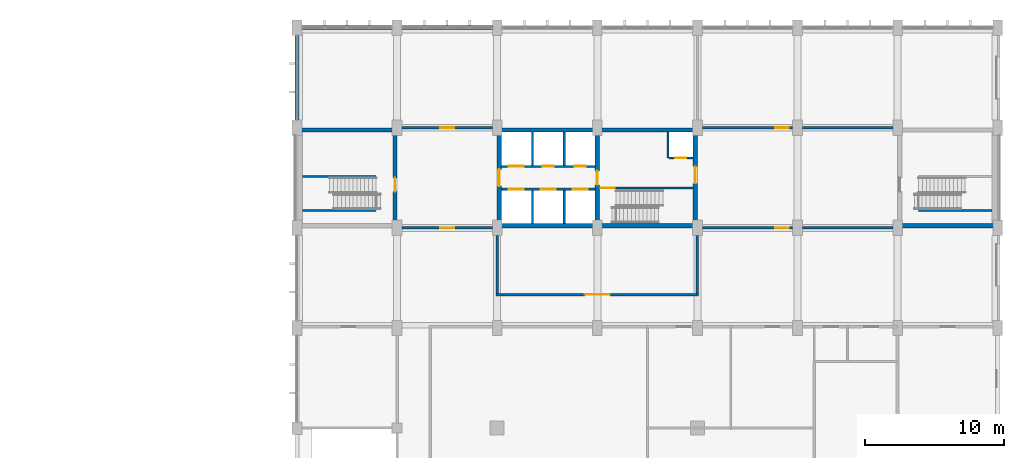
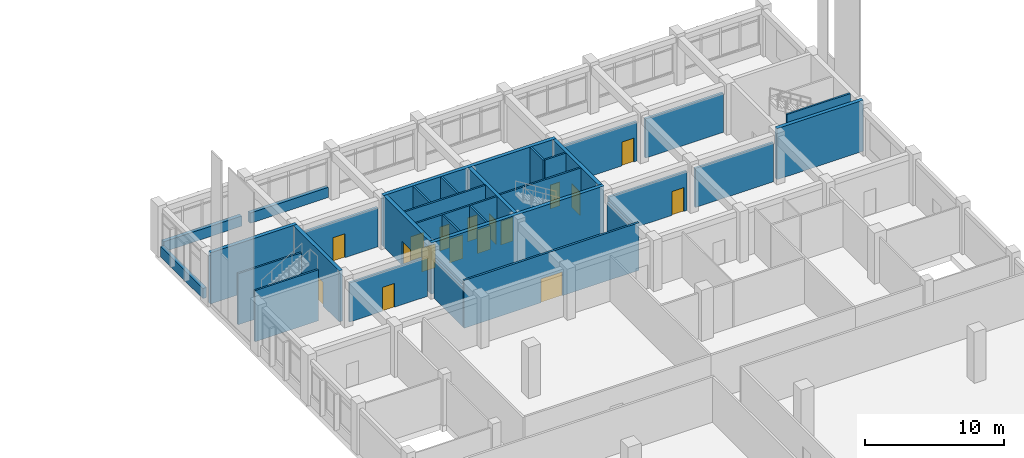
# One storey, part 37 of 52: 32 walls, 17 doors, 17 openings.
"""IFC4 building model written with IfcOpenShell, lengths in metres."""

from ifc_helpers import new_model, si_unit, direction, frame, frame_2d, origin, place, context, subcontext, project, spatial, rectangle, extrude, material, layer, layer_set, type_object, element, fill, save


model = new_model("IFC4")

# Units and contexts
model_context = context("Model", 3, precision=1e-05, world=origin(), true_north=direction((0.0, 1.0)))
body_context = subcontext(model_context, "Body", "Model", "MODEL_VIEW")
ifc_project = project(units=[si_unit("LENGTHUNIT", "METRE"), si_unit("AREAUNIT", "SQUARE_METRE"), si_unit("VOLUMEUNIT", "CUBIC_METRE"), si_unit("PLANEANGLEUNIT", "RADIAN"), si_unit("MASSUNIT", "GRAM", prefix="KILO")], contexts=[model_context])

# Site, building, storey
site_placement = place(None, origin())
site = spatial("IfcSite", under=ifc_project, at=site_placement, CompositionType="ELEMENT")
building_placement = place(site_placement, origin())
building = spatial("IfcBuilding", under=site, at=building_placement, Name="Vermilion Court Aquatics Centre", CompositionType="ELEMENT")
storey_placement = place(building_placement, frame((0.0, 0.0, 12.0)))
storey = spatial("IfcBuildingStorey", under=building, at=storey_placement, Name="L02", CompositionType="ELEMENT", Elevation=12.0)

# Walls
ifc_material_1 = material(Name="Concrete 8000 psi", Category="concrete")
ifc_layer_1 = layer(ifc_material_1, 0.300048828125)
ifc_layer_set_1 = layer_set([ifc_layer_1], Name="North block core shear wall 300")
wall_type_1 = type_object("IfcWallType", Name="North block core shear wall 300", PredefinedType="SHEAR", material=ifc_layer_set_1)
for number, where, z_axis, x_axis, name in (
    (1, (158.39990234375, 100.949951171875, 0.0), (0.0, 0.0, 1.0), (1.0, 0.0, 0.0), "Core shear wall south L02"),
    (2, (158.39990234375, 107.85009765625, 0.0), (0.0, 0.0, 1.0), (1.0, 0.0, 0.0), "Core shear wall north L02"),
):
    element("IfcWall", number, at=place(storey_placement, frame(where, z_axis=z_axis, x_axis=x_axis)), inside=storey, type_object=wall_type_1, Name=name, PredefinedType="SHEAR", context=body_context, shape_type="SweptSolid", body=[
        extrude(rectangle(XDim=14.400146484375, YDim=0.300048828125, at=frame_2d((7.2001953125, 0.0))), origin(), (0.0, 0.0, 1.0), 4.5),
    ])

# Wall, opening, door
wall_1_placement = place(storey_placement, frame((158.550048828125, 101.10009765625, 0.0), z_axis=(0.0, 0.0, 1.0), x_axis=(0.0, 1.0, 0.0)))
wall_1 = element("IfcWall", 3, at=wall_1_placement, inside=storey, type_object=wall_type_1, Name="Core shear wall west L02", PredefinedType="SHEAR", context=body_context, shape_type="SweptSolid", body=[
    extrude(rectangle(XDim=6.599853515625, YDim=0.300048828125, at=frame_2d((3.2998046875, 0.0))), origin(), (0.0, 0.0, 1.0), 4.5),
])
opening_1_placement = place(wall_1_placement, frame((2.699951171875, 0.0, 0.0)))
opening_1 = element("IfcOpeningElement", 4, at=opening_1_placement, cuts=wall_1, Name="Opening U02-003", PredefinedType="OPENING", context=body_context, shape_type="SweptSolid", body=[
    extrude(rectangle(XDim=1.199951171875, YDim=2.10009765625, at=frame_2d((0.60009765625, 1.050048828125))), frame((0.0, 0.159912109375, 0.0), z_axis=(0.0, -1.0, 0.0), x_axis=(1.0, 0.0, 0.0)), (0.0, 0.0, 1.0), 0.320068359375),
])
ifc_material_2 = material(Name="Hollow metal")
door_type_1 = type_object("IfcDoorType", Name="North block fire door FD90 1200x2100", OperationType="NOTDEFINED", PredefinedType="DOOR", material=ifc_material_2)
door_1_placement = place(opening_1_placement, origin())
door_1 = element("IfcDoor", 5, at=door_1_placement, inside=storey, type_object=door_type_1, Name="Core lobby door west L02", OperationType="SINGLE_SWING_LEFT", OverallHeight=2.10009765625, OverallWidth=1.199951171875, PredefinedType="DOOR", context=body_context, shape_type="SweptSolid", body=[
    extrude(rectangle(XDim=1.199951171875, YDim=2.10009765625, at=frame_2d((0.60009765625, 1.050048828125))), frame((0.0, 0.02490234375, 0.0), z_axis=(0.0, -1.0, 0.0), x_axis=(1.0, 0.0, 0.0)), (0.0, 0.0, 1.0), 0.050048828125),
])
fill(opening_1, door_1)

wall_2_placement = place(storey_placement, frame((165.60009765625, 101.10009765625, 0.0), z_axis=(0.0, 0.0, 1.0), x_axis=(0.0, 1.0, 0.0)))
wall_2 = element("IfcWall", 6, at=wall_2_placement, inside=storey, type_object=wall_type_1, Name="Core shear wall cross L02", PredefinedType="SHEAR", context=body_context, shape_type="SweptSolid", body=[
    extrude(rectangle(XDim=6.599853515625, YDim=0.300048828125, at=frame_2d((3.2998046875, 0.0))), origin(), (0.0, 0.0, 1.0), 4.5),
])
opening_2_placement = place(wall_2_placement, frame((2.800048828125, 0.0, 0.0)))
opening_2 = element("IfcOpeningElement", 7, at=opening_2_placement, cuts=wall_2, Name="Opening U02-004", PredefinedType="OPENING", context=body_context, shape_type="SweptSolid", body=[
    extrude(rectangle(XDim=1.0, YDim=2.10009765625, at=frame_2d((0.5, 1.050048828125))), frame((0.0, 0.159912109375, 0.0), z_axis=(0.0, -1.0, 0.0), x_axis=(1.0, 0.0, 0.0)), (0.0, 0.0, 1.0), 0.320068359375),
])
ifc_material_3 = material(Name="Hollow metal")
door_type_2 = type_object("IfcDoorType", Name="North block fire door FD90 1000x2100", OperationType="NOTDEFINED", PredefinedType="DOOR", material=ifc_material_3)
door_2_placement = place(opening_2_placement, frame((1.0, 0.0, 0.0), z_axis=(0.0, 0.0, 1.0), x_axis=(-1.0, 0.0, 0.0)))
door_2 = element("IfcDoor", 8, at=door_2_placement, inside=storey, type_object=door_type_2, Name="Core cross door L02", OperationType="SINGLE_SWING_RIGHT", OverallHeight=2.10009765625, OverallWidth=1.0, PredefinedType="DOOR", context=body_context, shape_type="SweptSolid", body=[
    extrude(rectangle(XDim=1.0, YDim=2.10009765625, at=frame_2d((0.5, 1.050048828125))), frame((0.0, 0.025146484375, 0.0), z_axis=(0.0, -1.0, 0.0), x_axis=(1.0, 0.0, 0.0)), (0.0, 0.0, 1.0), 0.050048828125),
])
fill(opening_2, door_2)

wall_3_placement = place(storey_placement, frame((172.64990234375, 101.10009765625, 0.0), z_axis=(0.0, 0.0, 1.0), x_axis=(0.0, 1.0, 0.0)))
wall_3 = element("IfcWall", 9, at=wall_3_placement, inside=storey, type_object=wall_type_1, Name="Core shear wall east L02", PredefinedType="SHEAR", context=body_context, shape_type="SweptSolid", body=[
    extrude(rectangle(XDim=6.599853515625, YDim=0.300048828125, at=frame_2d((3.2998046875, 0.0))), origin(), (0.0, 0.0, 1.0), 4.5),
])
opening_3_placement = place(wall_3_placement, frame((2.89990234375, 0.0, 0.0)))
opening_3 = element("IfcOpeningElement", 10, at=opening_3_placement, cuts=wall_3, Name="Opening U02-005", PredefinedType="OPENING", context=body_context, shape_type="SweptSolid", body=[
    extrude(rectangle(XDim=1.199951171875, YDim=2.10009765625, at=frame_2d((0.60009765625, 1.050048828125))), frame((0.0, 0.159912109375, 0.0), z_axis=(0.0, -1.0, 0.0), x_axis=(1.0, 0.0, 0.0)), (0.0, 0.0, 1.0), 0.320068359375),
])
door_3_placement = place(opening_3_placement, origin())
door_3 = element("IfcDoor", 11, at=door_3_placement, inside=storey, type_object=door_type_1, Name="Core lobby door east L02", OperationType="SINGLE_SWING_LEFT", OverallHeight=2.10009765625, OverallWidth=1.199951171875, PredefinedType="DOOR", context=body_context, shape_type="SweptSolid", body=[
    extrude(rectangle(XDim=1.199951171875, YDim=2.10009765625, at=frame_2d((0.60009765625, 1.050048828125))), frame((0.0, 0.02490234375, 0.0), z_axis=(0.0, -1.0, 0.0), x_axis=(1.0, 0.0, 0.0)), (0.0, 0.0, 1.0), 0.050048828125),
])
fill(opening_3, door_3)

# Wall
wall_4_placement = place(storey_placement, frame((144.0, 107.85009765625, 0.0), z_axis=(0.0, 0.0, 1.0), x_axis=(1.0, 0.0, 0.0)))
element("IfcWall", 12, at=wall_4_placement, inside=storey, type_object=wall_type_1, Name="Stair 1 shear wall north L02", PredefinedType="SHEAR", context=body_context, shape_type="SweptSolid", body=[
    extrude(rectangle(XDim=7.199951171875, YDim=0.300048828125, at=frame_2d((3.60009765625, 0.0))), origin(), (0.0, 0.0, 1.0), 4.5),
])

# Wall, opening, door
wall_5_placement = place(storey_placement, frame((151.050048828125, 101.10009765625, 0.0), z_axis=(0.0, 0.0, 1.0), x_axis=(0.0, 1.0, 0.0)))
wall_5 = element("IfcWall", 13, at=wall_5_placement, inside=storey, type_object=wall_type_1, Name="Stair 1 shear wall inner L02", PredefinedType="SHEAR", context=body_context, shape_type="SweptSolid", body=[
    extrude(rectangle(XDim=6.599853515625, YDim=0.300048828125, at=frame_2d((3.2998046875, 0.0))), origin(), (0.0, 0.0, 1.0), 4.5),
])
opening_4_placement = place(wall_5_placement, frame((2.300048828125, 0.0, 0.0)))
opening_4 = element("IfcOpeningElement", 14, at=opening_4_placement, cuts=wall_5, Name="Opening U02-008", PredefinedType="OPENING", context=body_context, shape_type="SweptSolid", body=[
    extrude(rectangle(XDim=1.0, YDim=2.10009765625, at=frame_2d((0.5, 1.050048828125))), frame((0.0, 0.159912109375, 0.0), z_axis=(0.0, -1.0, 0.0), x_axis=(1.0, 0.0, 0.0)), (0.0, 0.0, 1.0), 0.320068359375),
])
door_4_placement = place(opening_4_placement, origin())
door_4 = element("IfcDoor", 15, at=door_4_placement, inside=storey, type_object=door_type_2, Name="Stair 1 door L02", OperationType="SINGLE_SWING_LEFT", OverallHeight=2.10009765625, OverallWidth=1.0, PredefinedType="DOOR", context=body_context, shape_type="SweptSolid", body=[
    extrude(rectangle(XDim=1.0, YDim=2.10009765625, at=frame_2d((0.5, 1.050048828125))), frame((0.0, 0.02490234375, 0.0), z_axis=(0.0, -1.0, 0.0), x_axis=(1.0, 0.0, 0.0)), (0.0, 0.0, 1.0), 0.050048828125),
])
fill(opening_4, door_4)

# Walls
wall_6_placement = place(storey_placement, frame((194.39990234375, 100.949951171875, 0.0), z_axis=(0.0, 0.0, 1.0), x_axis=(-1.0, 0.0, 0.0)))
element("IfcWall", 16, at=wall_6_placement, inside=storey, type_object=wall_type_1, Name="Stair 2 shear wall south L02", PredefinedType="SHEAR", context=body_context, shape_type="SweptSolid", body=[
    extrude(rectangle(XDim=7.199951171875, YDim=0.300048828125, at=frame_2d((3.60009765625, 0.0))), origin(), (0.0, 0.0, 1.0), 4.5),
])
ifc_material_4 = material(Name="Concrete 5000 psi", Category="concrete")
ifc_layer_2 = layer(ifc_material_4, 0.14990234375)
ifc_layer_set_2 = layer_set([ifc_layer_2], Name="North block lift shaft partition 150")
wall_type_2 = type_object("IfcWallType", Name="North block lift shaft partition 150", PredefinedType="PARTITIONING", material=ifc_layer_set_2)
for number, where, z_axis, x_axis, name in (
    (17, (160.925048828125, 101.10009765625, 0.0), (0.0, 0.0, 1.0), (0.0, 1.0, 0.0), "Lift shaft wall S1 L02"),
    (18, (163.22509765625, 101.10009765625, 0.0), (0.0, 0.0, 1.0), (0.0, 1.0, 0.0), "Lift shaft wall S2 L02"),
    (19, (160.925048828125, 105.300048828125, 0.0), (0.0, 0.0, 1.0), (0.0, 1.0, 0.0), "Lift shaft wall N1 L02"),
    (20, (163.22509765625, 105.300048828125, 0.0), (0.0, 0.0, 1.0), (0.0, 1.0, 0.0), "Lift shaft wall N2 L02"),
):
    element("IfcWall", number, at=place(storey_placement, frame(where, z_axis=z_axis, x_axis=x_axis)), inside=storey, type_object=wall_type_2, Name=name, PredefinedType="PARTITIONING", context=body_context, shape_type="SweptSolid", body=[
        extrude(rectangle(XDim=2.39990234375, YDim=0.14990234375, at=frame_2d((1.199951171875, 0.0))), origin(), (0.0, 0.0, 1.0), 4.5),
    ])

# Wall, openings, doors
wall_7_placement = place(storey_placement, frame((158.699951171875, 103.574951171875, 0.0), z_axis=(0.0, 0.0, 1.0), x_axis=(1.0, 0.0, 0.0)))
wall_7 = element("IfcWall", 21, at=wall_7_placement, inside=storey, type_object=wall_type_2, Name="Lift shaft front wall S L02", PredefinedType="PARTITIONING", context=body_context, shape_type="SweptSolid", body=[
    extrude(rectangle(XDim=6.75, YDim=0.14990234375, at=frame_2d((3.375, 0.0))), origin(), (0.0, 0.0, 1.0), 4.5),
])
opening_5_placement = place(wall_7_placement, frame((0.52490234375, 0.0, 0.0)))
opening_5 = element("IfcOpeningElement", 22, at=opening_5_placement, cuts=wall_7, Name="Opening LD1-02", PredefinedType="OPENING", context=body_context, shape_type="SweptSolid", body=[
    extrude(rectangle(XDim=1.10009765625, YDim=2.10009765625, at=frame_2d((0.550048828125, 1.050048828125))), frame((0.0, 0.0849609375, 0.0), z_axis=(0.0, -1.0, 0.0), x_axis=(1.0, 0.0, 0.0)), (0.0, 0.0, 1.0), 0.169921875),
])
opening_6_placement = place(wall_7_placement, frame((2.824951171875, 0.0, 0.0)))
opening_6 = element("IfcOpeningElement", 23, at=opening_6_placement, cuts=wall_7, Name="Opening LD2-02", PredefinedType="OPENING", context=body_context, shape_type="SweptSolid", body=[
    extrude(rectangle(XDim=1.10009765625, YDim=2.10009765625, at=frame_2d((0.550048828125, 1.050048828125))), frame((0.0, 0.0849609375, 0.0), z_axis=(0.0, -1.0, 0.0), x_axis=(1.0, 0.0, 0.0)), (0.0, 0.0, 1.0), 0.169921875),
])
opening_7_placement = place(wall_7_placement, frame((5.125, 0.0, 0.0)))
opening_7 = element("IfcOpeningElement", 24, at=opening_7_placement, cuts=wall_7, Name="Opening LD3-02", PredefinedType="OPENING", context=body_context, shape_type="SweptSolid", body=[
    extrude(rectangle(XDim=1.10009765625, YDim=2.10009765625, at=frame_2d((0.550048828125, 1.050048828125))), frame((0.0, 0.0849609375, 0.0), z_axis=(0.0, -1.0, 0.0), x_axis=(1.0, 0.0, 0.0)), (0.0, 0.0, 1.0), 0.169921875),
])
ifc_material_5 = material(Name="Hollow metal")
door_type_3 = type_object("IfcDoorType", Name="North block lift landing door 1100x2100", OperationType="DOUBLE_DOOR_SLIDING", PredefinedType="DOOR", material=ifc_material_5)
door_5_placement = place(opening_5_placement, origin())
door_5 = element("IfcDoor", 25, at=door_5_placement, inside=storey, type_object=door_type_3, Name="Lift landing door L1 L02", OperationType="DOUBLE_DOOR_SLIDING", OverallHeight=2.10009765625, OverallWidth=1.10009765625, PredefinedType="DOOR", context=body_context, shape_type="SweptSolid", body=[
    extrude(rectangle(XDim=1.10009765625, YDim=2.10009765625, at=frame_2d((0.550048828125, 1.050048828125))), frame((0.0, 0.02490234375, 0.0), z_axis=(0.0, -1.0, 0.0), x_axis=(1.0, 0.0, 0.0)), (0.0, 0.0, 1.0), 0.050048828125),
])
fill(opening_5, door_5)
door_6_placement = place(opening_6_placement, origin())
door_6 = element("IfcDoor", 26, at=door_6_placement, inside=storey, type_object=door_type_3, Name="Lift landing door L2 L02", OperationType="DOUBLE_DOOR_SLIDING", OverallHeight=2.10009765625, OverallWidth=1.10009765625, PredefinedType="DOOR", context=body_context, shape_type="SweptSolid", body=[
    extrude(rectangle(XDim=1.10009765625, YDim=2.10009765625, at=frame_2d((0.550048828125, 1.050048828125))), frame((0.0, 0.02490234375, 0.0), z_axis=(0.0, -1.0, 0.0), x_axis=(1.0, 0.0, 0.0)), (0.0, 0.0, 1.0), 0.050048828125),
])
fill(opening_6, door_6)
door_7_placement = place(opening_7_placement, origin())
door_7 = element("IfcDoor", 27, at=door_7_placement, inside=storey, type_object=door_type_3, Name="Lift landing door L3 L02", OperationType="DOUBLE_DOOR_SLIDING", OverallHeight=2.10009765625, OverallWidth=1.10009765625, PredefinedType="DOOR", context=body_context, shape_type="SweptSolid", body=[
    extrude(rectangle(XDim=1.10009765625, YDim=2.10009765625, at=frame_2d((0.550048828125, 1.050048828125))), frame((0.0, 0.02490234375, 0.0), z_axis=(0.0, -1.0, 0.0), x_axis=(1.0, 0.0, 0.0)), (0.0, 0.0, 1.0), 0.050048828125),
])
fill(opening_7, door_7)

wall_8_placement = place(storey_placement, frame((158.699951171875, 105.22509765625, 0.0), z_axis=(0.0, 0.0, 1.0), x_axis=(1.0, 0.0, 0.0)))
wall_8 = element("IfcWall", 28, at=wall_8_placement, inside=storey, type_object=wall_type_2, Name="Lift shaft front wall N L02", PredefinedType="PARTITIONING", context=body_context, shape_type="SweptSolid", body=[
    extrude(rectangle(XDim=6.75, YDim=0.14990234375, at=frame_2d((3.375, 0.0))), origin(), (0.0, 0.0, 1.0), 4.5),
])
opening_8_placement = place(wall_8_placement, frame((0.52490234375, 0.0, 0.0)))
opening_8 = element("IfcOpeningElement", 29, at=opening_8_placement, cuts=wall_8, Name="Opening LD4-02", PredefinedType="OPENING", context=body_context, shape_type="SweptSolid", body=[
    extrude(rectangle(XDim=1.10009765625, YDim=2.10009765625, at=frame_2d((0.550048828125, 1.050048828125))), frame((0.0, 0.0849609375, 0.0), z_axis=(0.0, -1.0, 0.0), x_axis=(1.0, 0.0, 0.0)), (0.0, 0.0, 1.0), 0.169921875),
])
opening_9_placement = place(wall_8_placement, frame((2.97509765625, 0.0, 0.0)))
opening_9 = element("IfcOpeningElement", 30, at=opening_9_placement, cuts=wall_8, Name="Opening U02-001", PredefinedType="OPENING", context=body_context, shape_type="SweptSolid", body=[
    extrude(rectangle(XDim=0.800048828125, YDim=2.10009765625, at=frame_2d((0.39990234375, 1.050048828125))), frame((0.0, 0.0849609375, 0.0), z_axis=(0.0, -1.0, 0.0), x_axis=(1.0, 0.0, 0.0)), (0.0, 0.0, 1.0), 0.169921875),
])
opening_10_placement = place(wall_8_placement, frame((5.27490234375, 0.0, 0.0)))
opening_10 = element("IfcOpeningElement", 31, at=opening_10_placement, cuts=wall_8, Name="Opening U02-002", PredefinedType="OPENING", context=body_context, shape_type="SweptSolid", body=[
    extrude(rectangle(XDim=0.800048828125, YDim=2.10009765625, at=frame_2d((0.39990234375, 1.050048828125))), frame((0.0, 0.0849609375, 0.0), z_axis=(0.0, -1.0, 0.0), x_axis=(1.0, 0.0, 0.0)), (0.0, 0.0, 1.0), 0.169921875),
])
door_8_placement = place(opening_8_placement, origin())
door_8 = element("IfcDoor", 32, at=door_8_placement, inside=storey, type_object=door_type_3, Name="Lift landing door L4 L02", OperationType="DOUBLE_DOOR_SLIDING", OverallHeight=2.10009765625, OverallWidth=1.10009765625, PredefinedType="DOOR", context=body_context, shape_type="SweptSolid", body=[
    extrude(rectangle(XDim=1.10009765625, YDim=2.10009765625, at=frame_2d((0.550048828125, 1.050048828125))), frame((0.0, 0.02490234375, 0.0), z_axis=(0.0, -1.0, 0.0), x_axis=(1.0, 0.0, 0.0)), (0.0, 0.0, 1.0), 0.050048828125),
])
fill(opening_8, door_8)
ifc_material_6 = material(Name="Hollow metal")
door_type_4 = type_object("IfcDoorType", Name="North block riser door FD90 800x2100", OperationType="NOTDEFINED", PredefinedType="DOOR", material=ifc_material_6)
door_9_placement = place(opening_9_placement, frame((0.800048828125, 0.0, 0.0), z_axis=(0.0, 0.0, 1.0), x_axis=(-1.0, 0.0, 0.0)))
door_9 = element("IfcDoor", 33, at=door_9_placement, inside=storey, type_object=door_type_4, Name="Electrical Riser door L02", OperationType="SINGLE_SWING_RIGHT", OverallHeight=2.10009765625, OverallWidth=0.800048828125, PredefinedType="DOOR", context=body_context, shape_type="SweptSolid", body=[
    extrude(rectangle(XDim=0.800048828125, YDim=2.10009765625, at=frame_2d((0.400146484375, 1.050048828125))), frame((0.0, 0.025146484375, 0.0), z_axis=(0.0, -1.0, 0.0), x_axis=(1.0, 0.0, 0.0)), (0.0, 0.0, 1.0), 0.050048828125),
])
fill(opening_9, door_9)
door_10_placement = place(opening_10_placement, frame((0.800048828125, 0.0, 0.0), z_axis=(0.0, 0.0, 1.0), x_axis=(-1.0, 0.0, 0.0)))
door_10 = element("IfcDoor", 34, at=door_10_placement, inside=storey, type_object=door_type_4, Name="Plumbing Riser door L02", OperationType="SINGLE_SWING_LEFT", OverallHeight=2.10009765625, OverallWidth=0.800048828125, PredefinedType="DOOR", context=body_context, shape_type="SweptSolid", body=[
    extrude(rectangle(XDim=0.800048828125, YDim=2.10009765625, at=frame_2d((0.400146484375, 1.050048828125))), frame((0.0, 0.025146484375, 0.0), z_axis=(0.0, -1.0, 0.0), x_axis=(1.0, 0.0, 0.0)), (0.0, 0.0, 1.0), 0.050048828125),
])
fill(opening_10, door_10)

# Wall
wall_9_placement = place(storey_placement, frame((170.675048828125, 105.824951171875, 0.0), z_axis=(0.0, 0.0, 1.0), x_axis=(0.0, 1.0, 0.0)))
element("IfcWall", 35, at=wall_9_placement, inside=storey, type_object=wall_type_2, Name="Riser shaft wall west L02", PredefinedType="PARTITIONING", context=body_context, shape_type="SweptSolid", body=[
    extrude(rectangle(XDim=1.875, YDim=0.14990234375, at=frame_2d((0.9375, 0.0))), origin(), (0.0, 0.0, 1.0), 4.5),
])

# Wall, opening, door
wall_10_placement = place(storey_placement, frame((170.75, 105.824951171875, 0.0), z_axis=(0.0, 0.0, 1.0), x_axis=(1.0, 0.0, 0.0)))
wall_10 = element("IfcWall", 36, at=wall_10_placement, inside=storey, type_object=wall_type_2, Name="Riser shaft wall south L02", PredefinedType="PARTITIONING", context=body_context, shape_type="SweptSolid", body=[
    extrude(rectangle(XDim=1.75, YDim=0.14990234375, at=frame_2d((0.875, 0.0))), origin(), (0.0, 0.0, 1.0), 4.5),
])
opening_11_placement = place(wall_10_placement, frame((0.449951171875, 0.0, 0.0)))
opening_11 = element("IfcOpeningElement", 37, at=opening_11_placement, cuts=wall_10, Name="Opening U02-007", PredefinedType="OPENING", context=body_context, shape_type="SweptSolid", body=[
    extrude(rectangle(XDim=0.800048828125, YDim=2.10009765625, at=frame_2d((0.39990234375, 1.050048828125))), frame((0.0, 0.0849609375, 0.0), z_axis=(0.0, -1.0, 0.0), x_axis=(1.0, 0.0, 0.0)), (0.0, 0.0, 1.0), 0.169921875),
])
door_11_placement = place(opening_11_placement, origin())
door_11 = element("IfcDoor", 38, at=door_11_placement, inside=storey, type_object=door_type_4, Name="Riser door L02", OperationType="SINGLE_SWING_LEFT", OverallHeight=2.10009765625, OverallWidth=0.800048828125, PredefinedType="DOOR", context=body_context, shape_type="SweptSolid", body=[
    extrude(rectangle(XDim=0.800048828125, YDim=2.10009765625, at=frame_2d((0.39990234375, 1.050048828125))), frame((0.0, 0.02490234375, 0.0), z_axis=(0.0, -1.0, 0.0), x_axis=(1.0, 0.0, 0.0)), (0.0, 0.0, 1.0), 0.050048828125),
])
fill(opening_11, door_11)

ifc_material_7 = material(Name="Concrete 5000 psi", Category="concrete")
ifc_layer_3 = layer(ifc_material_7, 0.14990234375)
ifc_layer_set_3 = layer_set([ifc_layer_3], Name="North block stair lane wall 150")
wall_type_3 = type_object("IfcWallType", Name="North block stair lane wall 150", PredefinedType="SHEAR", material=ifc_layer_set_3)
wall_11_placement = place(storey_placement, frame((165.75, 103.675048828125, 0.0), z_axis=(0.0, 0.0, 1.0), x_axis=(1.0, 0.0, 0.0)))
wall_11 = element("IfcWall", 39, at=wall_11_placement, inside=storey, type_object=wall_type_3, Name="Stair 3 wall north L02", PredefinedType="SHEAR", context=body_context, shape_type="SweptSolid", body=[
    extrude(rectangle(XDim=6.75, YDim=0.14990234375, at=frame_2d((3.375, 0.0))), origin(), (0.0, 0.0, 1.0), 4.5),
])
opening_12_placement = place(wall_11_placement, frame((0.10009765625, 0.0, 0.0)))
opening_12 = element("IfcOpeningElement", 40, at=opening_12_placement, cuts=wall_11, Name="Opening U02-006", PredefinedType="OPENING", context=body_context, shape_type="SweptSolid", body=[
    extrude(rectangle(XDim=1.0, YDim=2.10009765625, at=frame_2d((0.5, 1.050048828125))), frame((0.0, 0.0849609375, 0.0), z_axis=(0.0, -1.0, 0.0), x_axis=(1.0, 0.0, 0.0)), (0.0, 0.0, 1.0), 0.169921875),
])
door_12_placement = place(opening_12_placement, frame((1.0, 0.0, 0.0), z_axis=(0.0, 0.0, 1.0), x_axis=(-1.0, 0.0, 0.0)))
door_12 = element("IfcDoor", 41, at=door_12_placement, inside=storey, type_object=door_type_2, Name="Stair 3 door L02", OperationType="SINGLE_SWING_RIGHT", OverallHeight=2.10009765625, OverallWidth=1.0, PredefinedType="DOOR", context=body_context, shape_type="SweptSolid", body=[
    extrude(rectangle(XDim=1.0, YDim=2.10009765625, at=frame_2d((0.5, 1.050048828125))), frame((0.0, 0.025146484375, 0.0), z_axis=(0.0, -1.0, 0.0), x_axis=(1.0, 0.0, 0.0)), (0.0, 0.0, 1.0), 0.050048828125),
])
fill(opening_12, door_12)

# Walls
for number, where, z_axis, x_axis, name in (
    (42, (144.39990234375, 102.054931640625, 0.0), (0.0, 0.0, 1.0), (1.0, 0.0, 0.0), "Stair 1 lane wall south L02"),
    (43, (144.39990234375, 104.5048828125, 0.0), (0.0, 0.0, 1.0), (1.0, 0.0, 0.0), "Stair 1 lane wall north L02"),
    (44, (188.699951171875, 102.054931640625, 0.0), (0.0, 0.0, 1.0), (1.0, 0.0, 0.0), "Stair 2 lane wall south L02"),
):
    element("IfcWall", number, at=place(storey_placement, frame(where, z_axis=z_axis, x_axis=x_axis)), inside=storey, type_object=wall_type_3, Name=name, PredefinedType="SHEAR", context=body_context, shape_type="SweptSolid", body=[
        extrude(rectangle(XDim=5.300048828125, YDim=0.14990234375, at=frame_2d((2.64990234375, 0.0))), origin(), (0.0, 0.0, 1.0), 4.5),
    ])
ifc_material_8 = material(Name="Concrete masonry ASTM C90 Type I", Category="masonry")
ifc_layer_4 = layer(ifc_material_8, 0.175048828125)
ifc_layer_set_4 = layer_set([ifc_layer_4], Name="Podium corridor wall 175, 1 hr")
wall_type_4 = type_object("IfcWallType", Name="Podium corridor wall 175, 1 hr", PredefinedType="PARTITIONING", material=ifc_layer_set_4)
for number, where, z_axis, x_axis, name in (
    (45, (158.39990234375, 96.08740234375, 0.0), (0.0, 0.0, 1.0), (0.0, 1.0, 0.0), "Corridor wall"),
    (46, (172.800048828125, 96.08740234375, 0.0), (0.0, 0.0, 1.0), (0.0, 1.0, 0.0), "Corridor wall"),
):
    element("IfcWall", number, at=place(storey_placement, frame(where, z_axis=z_axis, x_axis=x_axis)), inside=storey, type_object=wall_type_4, Name=name, PredefinedType="PARTITIONING", context=body_context, shape_type="SweptSolid", body=[
        extrude(rectangle(XDim=4.16259765625, YDim=0.175048828125, at=frame_2d((2.081298828125, 0.0))), origin(), (0.0, 0.0, 1.0), 3.449951171875),
    ])

# Wall, opening, door
wall_12_placement = place(storey_placement, frame((151.550048828125, 100.800048828125, 0.0), z_axis=(0.0, 0.0, 1.0), x_axis=(1.0, 0.0, 0.0)))
wall_12 = element("IfcWall", 47, at=wall_12_placement, inside=storey, type_object=wall_type_4, Name="Corridor wall", PredefinedType="PARTITIONING", context=body_context, shape_type="SweptSolid", body=[
    extrude(rectangle(XDim=6.5, YDim=0.175048828125, at=frame_2d((3.25, 0.0))), origin(), (0.0, 0.0, 1.0), 3.449951171875),
])
opening_13_placement = place(wall_12_placement, frame((2.75, 0.0, 0.0)))
opening_13 = element("IfcOpeningElement", 48, at=opening_13_placement, cuts=wall_12, Name="Opening P02-024", PredefinedType="OPENING", context=body_context, shape_type="SweptSolid", body=[
    extrude(rectangle(XDim=1.0, YDim=2.10009765625, at=frame_2d((0.5, 1.050048828125))), frame((0.0, 0.097412109375, 0.0), z_axis=(0.0, -1.0, 0.0), x_axis=(1.0, 0.0, 0.0)), (0.0, 0.0, 1.0), 0.195068359375),
])
ifc_material_9 = material(Name="Hollow metal")
door_type_5 = type_object("IfcDoorType", Name="Podium fire door leaf 1000x2100, 60 min", OperationType="NOTDEFINED", PredefinedType="DOOR", material=ifc_material_9)
door_13_placement = place(opening_13_placement, origin())
door_13 = element("IfcDoor", 49, at=door_13_placement, inside=storey, type_object=door_type_5, Name="Door", OperationType="SINGLE_SWING_RIGHT", OverallHeight=2.10009765625, OverallWidth=1.0, PredefinedType="DOOR", context=body_context, shape_type="SweptSolid", body=[
    extrude(rectangle(XDim=1.0, YDim=2.10009765625, at=frame_2d((0.5, 1.050048828125))), frame((0.0, 0.02490234375, 0.0), z_axis=(0.0, -1.0, 0.0), x_axis=(1.0, 0.0, 0.0)), (0.0, 0.0, 1.0), 0.050048828125),
])
fill(opening_13, door_13)

wall_13_placement = place(storey_placement, frame((173.14990234375, 100.800048828125, 0.0), z_axis=(0.0, 0.0, 1.0), x_axis=(1.0, 0.0, 0.0)))
wall_13 = element("IfcWall", 50, at=wall_13_placement, inside=storey, type_object=wall_type_4, Name="Corridor wall", PredefinedType="PARTITIONING", context=body_context, shape_type="SweptSolid", body=[
    extrude(rectangle(XDim=6.5, YDim=0.175048828125, at=frame_2d((3.25, 0.0))), origin(), (0.0, 0.0, 1.0), 3.449951171875),
])
opening_14_placement = place(wall_13_placement, frame((5.234619140625, 0.0, 0.0)))
opening_14 = element("IfcOpeningElement", 51, at=opening_14_placement, cuts=wall_13, Name="Opening P02-025", PredefinedType="OPENING", context=body_context, shape_type="SweptSolid", body=[
    extrude(rectangle(XDim=1.0, YDim=2.10009765625, at=frame_2d((0.5, 1.050048828125))), frame((0.0, 0.097412109375, 0.0), z_axis=(0.0, -1.0, 0.0), x_axis=(1.0, 0.0, 0.0)), (0.0, 0.0, 1.0), 0.195068359375),
])
door_14_placement = place(opening_14_placement, origin())
door_14 = element("IfcDoor", 52, at=door_14_placement, inside=storey, type_object=door_type_5, Name="Door", OperationType="SINGLE_SWING_RIGHT", OverallHeight=2.10009765625, OverallWidth=1.0, PredefinedType="DOOR", context=body_context, shape_type="SweptSolid", body=[
    extrude(rectangle(XDim=1.0, YDim=2.10009765625, at=frame_2d((0.5, 1.050048828125))), frame((0.0, 0.02490234375, 0.0), z_axis=(0.0, -1.0, 0.0), x_axis=(1.0, 0.0, 0.0)), (0.0, 0.0, 1.0), 0.050048828125),
])
fill(opening_14, door_14)

# Wall
wall_14_placement = place(storey_placement, frame((180.35009765625, 100.800048828125, 0.0), z_axis=(0.0, 0.0, 1.0), x_axis=(1.0, 0.0, 0.0)))
element("IfcWall", 53, at=wall_14_placement, inside=storey, type_object=wall_type_4, Name="Corridor wall", PredefinedType="PARTITIONING", context=body_context, shape_type="SweptSolid", body=[
    extrude(rectangle(XDim=6.5, YDim=0.175048828125, at=frame_2d((3.25, 0.0))), origin(), (0.0, 0.0, 1.0), 3.449951171875),
])

# Wall, opening, door
wall_15_placement = place(storey_placement, frame((158.3125, 96.0, 0.0), z_axis=(0.0, 0.0, 1.0), x_axis=(1.0, 0.0, 0.0)))
wall_15 = element("IfcWall", 54, at=wall_15_placement, inside=storey, type_object=wall_type_4, Name="Corridor wall", PredefinedType="PARTITIONING", context=body_context, shape_type="SweptSolid", body=[
    extrude(rectangle(XDim=14.574951171875, YDim=0.175048828125, at=frame_2d((7.28759765625, 0.0))), origin(), (0.0, 0.0, 1.0), 4.199951171875),
])
opening_15_placement = place(wall_15_placement, frame((6.387451171875, 0.0, 0.0)))
opening_15 = element("IfcOpeningElement", 55, at=opening_15_placement, cuts=wall_15, Name="Opening P02-028", PredefinedType="OPENING", context=body_context, shape_type="SweptSolid", body=[
    extrude(rectangle(XDim=1.800048828125, YDim=2.10009765625, at=frame_2d((0.89990234375, 1.050048828125))), frame((0.0, 0.097412109375, 0.0), z_axis=(0.0, -1.0, 0.0), x_axis=(1.0, 0.0, 0.0)), (0.0, 0.0, 1.0), 0.195068359375),
])
ifc_material_10 = material(Name="Hollow metal")
door_type_6 = type_object("IfcDoorType", Name="Podium fire door pair 1800x2100, 60 min", OperationType="DOUBLE_DOOR_SINGLE_SWING", PredefinedType="DOOR", material=ifc_material_10)
door_15_placement = place(opening_15_placement, origin())
door_15 = element("IfcDoor", 56, at=door_15_placement, inside=storey, type_object=door_type_6, Name="Door", OperationType="DOUBLE_DOOR_SINGLE_SWING", OverallHeight=2.10009765625, OverallWidth=1.800048828125, PredefinedType="DOOR", context=body_context, shape_type="SweptSolid", body=[
    extrude(rectangle(XDim=1.800048828125, YDim=2.10009765625, at=frame_2d((0.89990234375, 1.050048828125))), frame((0.0, 0.02490234375, 0.0), z_axis=(0.0, -1.0, 0.0), x_axis=(1.0, 0.0, 0.0)), (0.0, 0.0, 1.0), 0.050048828125),
])
fill(opening_15, door_15)

# Walls
ifc_material_11 = material(Name="Brick masonry", Category="masonry")
ifc_layer_5 = layer(ifc_material_11, 0.300048828125)
ifc_layer_set_5 = layer_set([ifc_layer_5], Name="Podium facade brick wall 300")
wall_type_5 = type_object("IfcWallType", Name="Podium facade brick wall 300", PredefinedType="SOLIDWALL", material=ifc_layer_set_5)
for number, where, z_axis, x_axis, name in (
    (57, (144.35009765625, 115.199951171875, 0.0), (0.0, 0.0, 1.0), (1.0, 0.0, 0.0), "Facade sill wall L02"),
    (58, (151.550048828125, 115.199951171875, 0.0), (0.0, 0.0, 1.0), (1.0, 0.0, 0.0), "Facade sill wall L02"),
):
    element("IfcWall", number, at=place(storey_placement, frame(where, z_axis=z_axis, x_axis=x_axis)), inside=storey, type_object=wall_type_5, Name=name, PredefinedType="SOLIDWALL", context=body_context, shape_type="SweptSolid", body=[
        extrude(rectangle(XDim=6.5, YDim=0.300048828125, at=frame_2d((3.25, 0.0))), origin(), (0.0, 0.0, 1.0), 0.89990234375),
    ])
wall_16_placement = place(storey_placement, frame((144.0, 108.550048828125, 0.0), z_axis=(0.0, 0.0, 1.0), x_axis=(0.0, 1.0, 0.0)))
element("IfcWall", 59, at=wall_16_placement, inside=storey, type_object=wall_type_5, Name="Facade sill wall L02", PredefinedType="SOLIDWALL", context=body_context, shape_type="SweptSolid", body=[
    extrude(rectangle(XDim=6.099853515625, YDim=0.300048828125, at=frame_2d((3.0498046875, 0.0))), origin(), (0.0, 0.0, 1.0), 0.89990234375),
])

# Wall, opening, door
ifc_material_12 = material(Name="Concrete masonry ASTM C90 Type I", Category="masonry")
ifc_layer_6 = layer(ifc_material_12, 0.199951171875)
ifc_layer_set_6 = layer_set([ifc_layer_6], Name="Podium fire-rated partition 200, 1 hr")
wall_type_6 = type_object("IfcWallType", Name="Podium fire-rated partition 200, 1 hr", PredefinedType="PARTITIONING", material=ifc_layer_set_6)
wall_17_placement = place(storey_placement, frame((151.550048828125, 108.0, 0.0), z_axis=(0.0, 0.0, 1.0), x_axis=(1.0, 0.0, 0.0)))
wall_17 = element("IfcWall", 60, at=wall_17_placement, inside=storey, type_object=wall_type_6, Name="Fire-rated partition", PredefinedType="PARTITIONING", context=body_context, shape_type="SweptSolid", body=[
    extrude(rectangle(XDim=6.5, YDim=0.199951171875, at=frame_2d((3.25, 0.0))), origin(), (0.0, 0.0, 1.0), 3.449951171875),
])
opening_16_placement = place(wall_17_placement, frame((2.75, 0.0, 0.0)))
opening_16 = element("IfcOpeningElement", 61, at=opening_16_placement, cuts=wall_17, Name="Opening P02-026", PredefinedType="OPENING", context=body_context, shape_type="SweptSolid", body=[
    extrude(rectangle(XDim=1.0, YDim=2.10009765625, at=frame_2d((0.5, 1.050048828125))), frame((0.0, 0.10986328125, 0.0), z_axis=(0.0, -1.0, 0.0), x_axis=(1.0, 0.0, 0.0)), (0.0, 0.0, 1.0), 0.219970703125),
])
door_16_placement = place(opening_16_placement, frame((1.0, 0.0, 0.0), z_axis=(0.0, 0.0, 1.0), x_axis=(-1.0, 0.0, 0.0)))
door_16 = element("IfcDoor", 62, at=door_16_placement, inside=storey, type_object=door_type_5, Name="Door", OperationType="SINGLE_SWING_RIGHT", OverallHeight=2.10009765625, OverallWidth=1.0, PredefinedType="DOOR", context=body_context, shape_type="SweptSolid", body=[
    extrude(rectangle(XDim=1.0, YDim=2.10009765625, at=frame_2d((0.5, 1.050048828125))), frame((0.0, 0.025146484375, 0.0), z_axis=(0.0, -1.0, 0.0), x_axis=(1.0, 0.0, 0.0)), (0.0, 0.0, 1.0), 0.050048828125),
])
fill(opening_16, door_16)

wall_18_placement = place(storey_placement, frame((173.14990234375, 108.0, 0.0), z_axis=(0.0, 0.0, 1.0), x_axis=(1.0, 0.0, 0.0)))
wall_18 = element("IfcWall", 63, at=wall_18_placement, inside=storey, type_object=wall_type_6, Name="Fire-rated partition", PredefinedType="PARTITIONING", context=body_context, shape_type="SweptSolid", body=[
    extrude(rectangle(XDim=6.5, YDim=0.199951171875, at=frame_2d((3.25, 0.0))), origin(), (0.0, 0.0, 1.0), 3.449951171875),
])
opening_17_placement = place(wall_18_placement, frame((5.234619140625, 0.0, 0.0)))
opening_17 = element("IfcOpeningElement", 64, at=opening_17_placement, cuts=wall_18, Name="Opening P02-027", PredefinedType="OPENING", context=body_context, shape_type="SweptSolid", body=[
    extrude(rectangle(XDim=1.0, YDim=2.10009765625, at=frame_2d((0.5, 1.050048828125))), frame((0.0, 0.10986328125, 0.0), z_axis=(0.0, -1.0, 0.0), x_axis=(1.0, 0.0, 0.0)), (0.0, 0.0, 1.0), 0.219970703125),
])
door_17_placement = place(opening_17_placement, frame((1.0, 0.0, 0.0), z_axis=(0.0, 0.0, 1.0), x_axis=(-1.0, 0.0, 0.0)))
door_17 = element("IfcDoor", 65, at=door_17_placement, inside=storey, type_object=door_type_5, Name="Door", OperationType="SINGLE_SWING_LEFT", OverallHeight=2.10009765625, OverallWidth=1.0, PredefinedType="DOOR", context=body_context, shape_type="SweptSolid", body=[
    extrude(rectangle(XDim=1.0, YDim=2.10009765625, at=frame_2d((0.5, 1.050048828125))), frame((0.0, 0.025146484375, 0.0), z_axis=(0.0, -1.0, 0.0), x_axis=(1.0, 0.0, 0.0)), (0.0, 0.0, 1.0), 0.050048828125),
])
fill(opening_17, door_17)

# Wall
wall_19_placement = place(storey_placement, frame((180.35009765625, 108.0, 0.0), z_axis=(0.0, 0.0, 1.0), x_axis=(1.0, 0.0, 0.0)))
element("IfcWall", 66, at=wall_19_placement, inside=storey, type_object=wall_type_6, Name="Fire-rated partition", PredefinedType="PARTITIONING", context=body_context, shape_type="SweptSolid", body=[
    extrude(rectangle(XDim=6.5, YDim=0.199951171875, at=frame_2d((3.25, 0.0))), origin(), (0.0, 0.0, 1.0), 3.449951171875),
])

save(model, "model.ifc")
